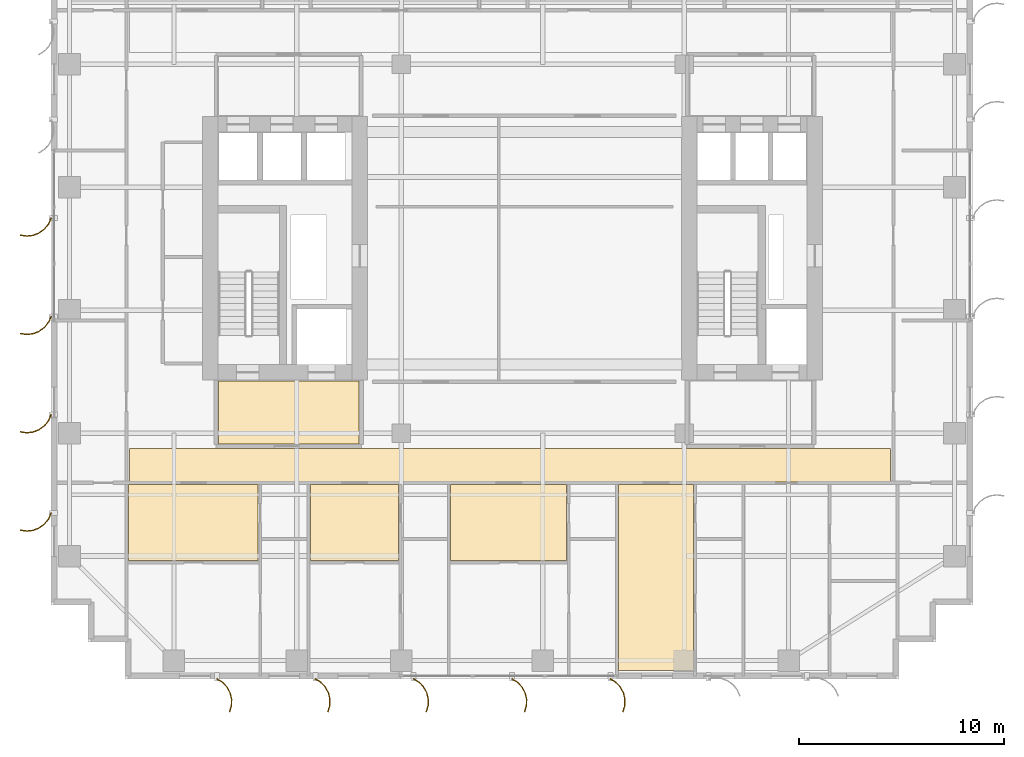
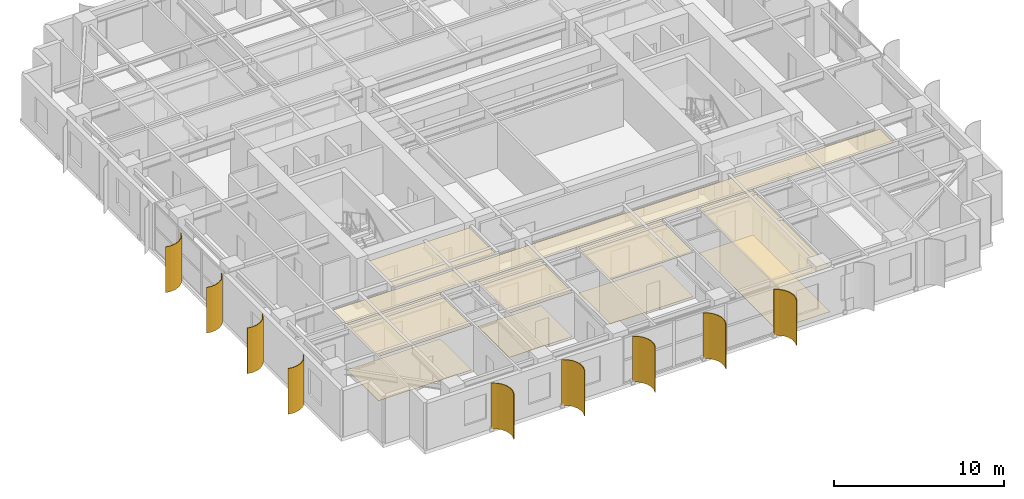
# One storey, part 19 of 22: 10 coverings, 9 shading devices.
"""IFC4 building model written with IfcOpenShell, lengths in metres."""

from ifc_helpers import new_model, si_unit, direction, frame, origin, place, context, subcontext, project, spatial, polyline, outline, extrude, source, transform, mapped, material, layer, layer_set, type_object, element, save


model = new_model("IFC4")

# Units and contexts
model_context = context("Model", 3, precision=1e-05, world=origin(), true_north=direction((0.0, 1.0)))
body_context = subcontext(model_context, "Body", "Model", "MODEL_VIEW")
ifc_project = project(units=[si_unit("LENGTHUNIT", "METRE"), si_unit("AREAUNIT", "SQUARE_METRE"), si_unit("VOLUMEUNIT", "CUBIC_METRE"), si_unit("PLANEANGLEUNIT", "RADIAN"), si_unit("MASSUNIT", "GRAM", prefix="KILO")], contexts=[model_context])

# Site, building, storey
site_placement = place(None, origin())
site = spatial("IfcSite", under=ifc_project, at=site_placement, CompositionType="ELEMENT")
building_placement = place(site_placement, origin())
building = spatial("IfcBuilding", under=site, at=building_placement, Name="Khoralis Quay Care Tower", CompositionType="ELEMENT")
storey_placement = place(building_placement, frame((0.0, 0.0, 101.699951171875)))
storey = spatial("IfcBuildingStorey", under=building, at=storey_placement, Name="L26", CompositionType="ELEMENT", Elevation=101.699951171875)

# Coverings
ifc_material_1 = material(Name="Mineral-fibre acoustic ceiling tile")
ifc_layer_1 = layer(ifc_material_1, 0.01806640625)
ifc_layer_set_1 = layer_set([ifc_layer_1], Name="Mineral-fibre acoustic ceiling tile")
covering_type_1 = type_object("IfcCoveringType", Name="COV-CEIL-AC18", PredefinedType="CEILING", material=ifc_layer_set_1)
covering_1_placement = place(storey_placement, frame((0.0, 0.0, 3.192138671875)))
element("IfcCovering", 1, at=covering_1_placement, inside=storey, type_object=covering_type_1, Name="Suspended Acoustic Ceiling SP-L26-FFLOB-W", PredefinedType="CEILING", context=body_context, shape_type="SweptSolid", body=[
    extrude(outline(polyline([(8.179931640625, 11.47998046875), (15.02001953125, 11.47998046875), (15.02001953125, 14.550048828125), (8.179931640625, 14.550048828125), (8.179931640625, 11.47998046875)])), origin(), (0.0, 0.0, 1.0), 0.017822265625),
])
covering_2_placement = place(storey_placement, frame((0.0, 0.0, 3.192138671875)))
element("IfcCovering", 2, at=covering_2_placement, inside=storey, type_object=covering_type_1, Name="Suspended Acoustic Ceiling SP-L26-CORR-S", PredefinedType="CEILING", context=body_context, shape_type="SweptSolid", body=[
    extrude(outline(polyline([(3.820068359375, 9.6201171875), (40.97998046875, 9.6201171875), (40.97998046875, 11.239990234375), (3.820068359375, 11.239990234375), (3.820068359375, 9.6201171875)])), origin(), (0.0, 0.0, 1.0), 0.017822265625),
])
covering_3_placement = place(storey_placement, frame((0.0, 0.0, 3.192138671875)))
element("IfcCovering", 3, at=covering_3_placement, inside=storey, type_object=covering_type_1, Name="Suspended Acoustic Ceiling SP-L26-SB-CARE0", PredefinedType="CEILING", context=body_context, shape_type="SweptSolid", body=[
    extrude(outline(polyline([(3.780029296875, 5.7900390625), (10.110107421875, 5.7900390625), (10.110107421875, 9.47998046875), (3.780029296875, 9.47998046875), (3.780029296875, 5.7900390625)])), origin(), (0.0, 0.0, 1.0), 0.017822265625),
])
covering_4_placement = place(storey_placement, frame((0.0, 0.0, 3.192138671875)))
element("IfcCovering", 4, at=covering_4_placement, inside=storey, type_object=covering_type_1, Name="Suspended Acoustic Ceiling SP-L26-SB-CARE1", PredefinedType="CEILING", context=body_context, shape_type="SweptSolid", body=[
    extrude(outline(polyline([(12.659912109375, 5.7900390625), (16.9599609375, 5.7900390625), (16.9599609375, 9.47998046875), (12.659912109375, 9.47998046875), (12.659912109375, 5.7900390625)])), origin(), (0.0, 0.0, 1.0), 0.017822265625),
])
covering_5_placement = place(storey_placement, frame((0.0, 0.0, 3.192138671875)))
element("IfcCovering", 5, at=covering_5_placement, inside=storey, type_object=covering_type_1, Name="Suspended Acoustic Ceiling SP-L26-SB-CARE2", PredefinedType="CEILING", context=body_context, shape_type="SweptSolid", body=[
    extrude(outline(polyline([(19.510009765625, 5.7900390625), (25.169921875, 5.7900390625), (25.169921875, 9.47998046875), (19.510009765625, 9.47998046875), (19.510009765625, 5.7900390625)])), origin(), (0.0, 0.0, 1.0), 0.017822265625),
])
covering_6_placement = place(storey_placement, frame((0.0, 0.0, 3.192138671875)))
element("IfcCovering", 6, at=covering_6_placement, inside=storey, type_object=covering_type_1, Name="Suspended Acoustic Ceiling SP-L26-SB-CARE3", PredefinedType="CEILING", context=body_context, shape_type="SweptSolid", body=[
    extrude(outline(polyline([(27.699951171875, 0.419921875), (31.360107421875, 0.419921875), (31.360107421875, 9.5), (27.699951171875, 9.5), (27.699951171875, 0.419921875)])), origin(), (0.0, 0.0, 1.0), 0.017822265625),
])
ifc_material_2 = material(Name="Porcelain and non-slip vinyl flooring")
ifc_layer_2 = layer(ifc_material_2, 0.02001953125)
ifc_layer_set_2 = layer_set([ifc_layer_2], Name="Porcelain and non-slip vinyl flooring")
covering_type_2 = type_object("IfcCoveringType", Name="COV-FLOOR-20", PredefinedType="FLOORING", material=ifc_layer_set_2)
covering_7_placement = place(storey_placement, origin())
element("IfcCovering", 7, at=covering_7_placement, inside=storey, type_object=covering_type_2, Name="Resilient Healthcare Flooring SP-L26-SB-CARE0", PredefinedType="FLOORING", context=body_context, shape_type="SweptSolid", body=[
    extrude(outline(polyline([(3.780029296875, 5.7900390625), (10.110107421875, 5.7900390625), (10.110107421875, 9.47998046875), (3.780029296875, 9.47998046875), (3.780029296875, 5.7900390625)])), origin(), (0.0, 0.0, 1.0), 0.02001953125),
])
covering_8_placement = place(storey_placement, origin())
element("IfcCovering", 8, at=covering_8_placement, inside=storey, type_object=covering_type_2, Name="Resilient Healthcare Flooring SP-L26-SB-CARE1", PredefinedType="FLOORING", context=body_context, shape_type="SweptSolid", body=[
    extrude(outline(polyline([(12.659912109375, 5.7900390625), (16.9599609375, 5.7900390625), (16.9599609375, 9.47998046875), (12.659912109375, 9.47998046875), (12.659912109375, 5.7900390625)])), origin(), (0.0, 0.0, 1.0), 0.02001953125),
])
covering_9_placement = place(storey_placement, origin())
element("IfcCovering", 9, at=covering_9_placement, inside=storey, type_object=covering_type_2, Name="Resilient Healthcare Flooring SP-L26-SB-CARE2", PredefinedType="FLOORING", context=body_context, shape_type="SweptSolid", body=[
    extrude(outline(polyline([(19.510009765625, 5.7900390625), (25.169921875, 5.7900390625), (25.169921875, 9.47998046875), (19.510009765625, 9.47998046875), (19.510009765625, 5.7900390625)])), origin(), (0.0, 0.0, 1.0), 0.02001953125),
])
covering_10_placement = place(storey_placement, origin())
element("IfcCovering", 10, at=covering_10_placement, inside=storey, type_object=covering_type_2, Name="Resilient Healthcare Flooring SP-L26-SB-CARE3", PredefinedType="FLOORING", context=body_context, shape_type="SweptSolid", body=[
    extrude(outline(polyline([(27.699951171875, 0.419921875), (31.360107421875, 0.419921875), (31.360107421875, 9.5), (27.699951171875, 9.5), (27.699951171875, 0.419921875)])), origin(), (0.0, 0.0, 1.0), 0.02001953125),
])

# Shading devices
ifc_material_3 = material(Name="Brushed pale anodised aluminium", Category="aluminium")
ifc_layer_3 = layer(ifc_material_3, 0.044921875)
ifc_layer_set_3 = layer_set([ifc_layer_3], Name="Brushed pale anodised aluminium")
shading_device_type = type_object("IfcShadingDeviceType", Name="SHD-FIN-1250", PredefinedType="USERDEFINED", material=ifc_layer_set_3)
shared_shape_1 = source(origin(), body_context, "Body", "SweptSolid", [
    extrude(outline(polyline([(0.0, 0.0), (0.17041015625, 0.2783203125), (0.4072265625, 0.5029296875), (0.694091796875, 0.658447265625), (1.01123046875, 0.734619140625), (1.33740234375, 0.72607421875), (1.650390625, 0.633544921875), (1.632080078125, 0.59228515625), (1.330322265625, 0.681640625), (1.015869140625, 0.68994140625), (0.710205078125, 0.616455078125), (0.43359375, 0.466552734375), (0.20556640625, 0.25), (0.041015625, -0.018310546875), (0.0, 0.0)])), origin(), (0.0, 0.0, 1.0), 3.280029296875),
])
for number, where, z_axis, x_axis, name in (
    (11, (8.10009765625, 0.030029296875, 0.02001953125), (0.0, 0.0, 1.0), (0.0, -1.0, 0.0), "L26 Curved Solar Fin P1E0-01"),
    (12, (12.89990234375, 0.030029296875, 0.02001953125), (0.0, 0.0, 1.0), (0.0, -1.0, 0.0), "L26 Curved Solar Fin P1E0-02"),
    (13, (17.699951171875, 0.030029296875, 0.02001953125), (0.0, 0.0, 1.0), (0.0, -1.0, 0.0), "L26 Curved Solar Fin P1E0-03"),
    (14, (22.5, 0.030029296875, 0.02001953125), (0.0, 0.0, 1.0), (0.0, -1.0, 0.0), "L26 Curved Solar Fin P1E0-04"),
    (15, (27.300048828125, 0.030029296875, 0.02001953125), (0.0, 0.0, 1.0), (0.0, -1.0, 0.0), "L26 Curved Solar Fin P1E0-05"),
):
    element("IfcShadingDevice", number, at=place(storey_placement, frame(where, z_axis=z_axis, x_axis=x_axis)), inside=storey, type_object=shading_device_type, Name=name, ObjectType="FIN", PredefinedType="USERDEFINED", context=body_context, shape_type="MappedRepresentation", body=[
        mapped(shared_shape_1, transform((0.0, 0.0, 0.0), scale=1.0)),
    ])
shared_shape_2 = source(origin(), body_context, "Body", "SweptSolid", [
    extrude(outline(polyline([(0.0, 0.0), (0.130126953125, 0.29931640625), (0.333251953125, 0.5546875), (0.595458984375, 0.748779296875), (0.899169921875, 0.868408203125), (1.223388671875, 0.9052734375), (1.546142578125, 0.85693359375), (1.53369140625, 0.813720703125), (1.22265625, 0.8603515625), (0.91015625, 0.82470703125), (0.617431640625, 0.70947265625), (0.364501953125, 0.522216796875), (0.168701171875, 0.276123046875), (0.043212890625, -0.012451171875), (0.0, 0.0)])), origin(), (0.0, 0.0, 1.0), 3.280029296875),
])
for number, where, z_axis, x_axis, name in (
    (16, (0.030029296875, 22.5, 0.02001953125), (0.0, 0.0, 1.0), (-1.0, 0.0, 0.0), "L26 Curved Solar Fin P1E15-04"),
    (17, (0.030029296875, 17.699951171875, 0.02001953125), (0.0, 0.0, 1.0), (-1.0, 0.0, 0.0), "L26 Curved Solar Fin P1E15-05"),
    (18, (0.030029296875, 12.89990234375, 0.02001953125), (0.0, 0.0, 1.0), (-1.0, 0.0, 0.0), "L26 Curved Solar Fin P1E15-06"),
    (19, (0.030029296875, 8.10009765625, 0.02001953125), (0.0, 0.0, 1.0), (-1.0, 0.0, 0.0), "L26 Curved Solar Fin P1E15-07"),
):
    element("IfcShadingDevice", number, at=place(storey_placement, frame(where, z_axis=z_axis, x_axis=x_axis)), inside=storey, type_object=shading_device_type, Name=name, ObjectType="FIN", PredefinedType="USERDEFINED", context=body_context, shape_type="MappedRepresentation", body=[
        mapped(shared_shape_2, transform((0.0, 0.0, 0.0), scale=1.0)),
    ])

save(model, "model.ifc")
